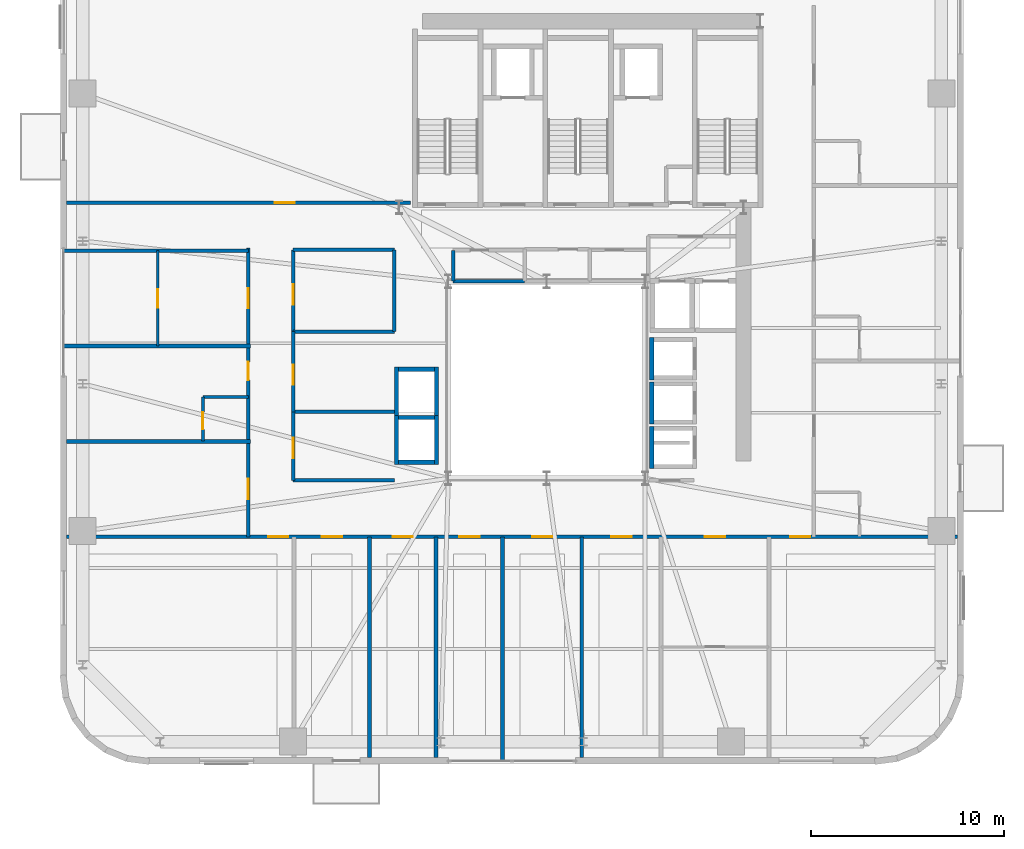
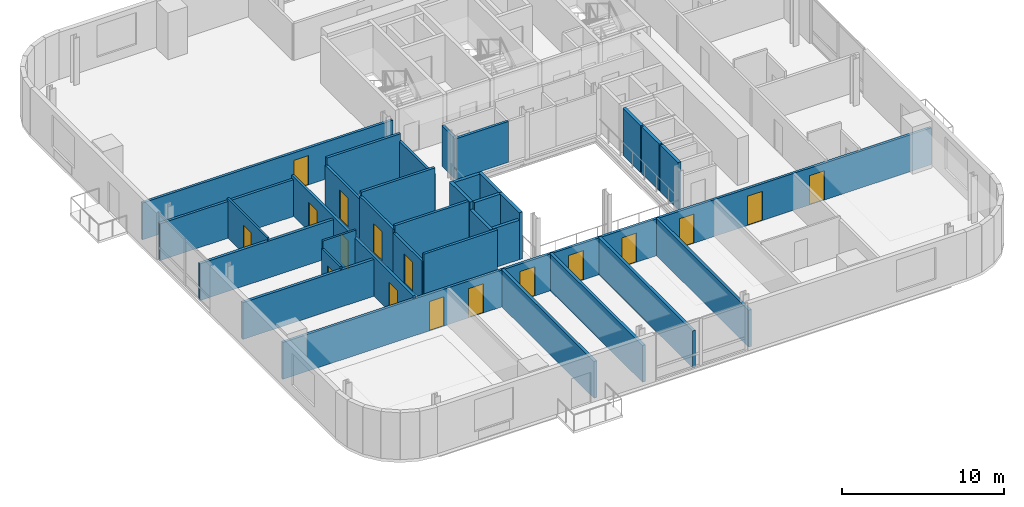
# One storey, part 8 of 17: 33 walls, 17 doors, 17 openings.
"""IFC4 building model written with IfcOpenShell, lengths in metres."""

from ifc_helpers import new_model, si_unit, direction, frame, frame_2d, origin, place, context, subcontext, project, spatial, rectangle, extrude, source, transform, mapped, material, layer, layer_set, type_object, element, fill, save


model = new_model("IFC4")

# Units and contexts
model_context = context("Model", 3, precision=1e-05, world=origin(), true_north=direction((0.0, 1.0)))
body_context = subcontext(model_context, "Body", "Model", "MODEL_VIEW")
ifc_project = project(units=[si_unit("LENGTHUNIT", "METRE"), si_unit("AREAUNIT", "SQUARE_METRE"), si_unit("VOLUMEUNIT", "CUBIC_METRE"), si_unit("PLANEANGLEUNIT", "RADIAN"), si_unit("MASSUNIT", "GRAM", prefix="KILO")], contexts=[model_context])

# Site, building, storey
site_placement = place(None, origin())
site = spatial("IfcSite", under=ifc_project, at=site_placement, CompositionType="ELEMENT")
building_placement = place(site_placement, origin())
building = spatial("IfcBuilding", under=site, at=building_placement, Name="Vardaveli Station Tower", CompositionType="ELEMENT")
storey_placement = place(building_placement, frame((0.0, 0.0, 218.550048828125)))
storey = spatial("IfcBuildingStorey", under=building, at=storey_placement, Name="L56", CompositionType="ELEMENT", Elevation=218.550048828125)

# Walls
ifc_material_1 = material(Name="Concrete C40/50", Category="concrete")
ifc_layer_1 = layer(ifc_material_1, 0.219970703125, Name="Concrete C40/50")
ifc_layer_set_1 = layer_set([ifc_layer_1], Name="Concrete C40/50")
wall_type_1 = type_object("IfcWallType", Name="WAL-FFLOBBY-220", PredefinedType="SOLIDWALL", material=ifc_layer_set_1)
shared_shape_1 = source(origin(), body_context, "Body", "SweptSolid", [
    extrude(rectangle(XDim=2.18994140625, YDim=0.219970703125, at=frame_2d((1.094970703125, 0.0))), origin(), (0.0, 0.0, 1.0), 3.530029296875),
])
for number, where, z_axis, x_axis, name in (
    (1, (41.739990234375, 21.705078125, 0.0), (0.0, 0.0, 1.0), (0.0, 1.0, 0.0), "SHW-HL3-01-L56-W"),
    (2, (41.739990234375, 19.405029296875, 0.0), (0.0, 0.0, 1.0), (0.0, 1.0, 0.0), "SHW-HL3-02-L56-W"),
    (3, (41.739990234375, 17.10498046875, 0.0), (0.0, 0.0, 1.0), (0.0, 1.0, 0.0), "SHW-HL3-03-L56-W"),
):
    element("IfcWall", number, at=place(storey_placement, frame(where, z_axis=z_axis, x_axis=x_axis)), inside=storey, type_object=wall_type_1, Name=name, PredefinedType="SOLIDWALL", context=body_context, shape_type="MappedRepresentation", body=[
        mapped(shared_shape_1, transform((0.0, 0.0, 0.0), scale=1.0)),
    ])
shared_shape_2 = source(origin(), body_context, "Body", "SweptSolid", [
    extrude(rectangle(XDim=1.85009765625, YDim=0.219970703125, at=frame_2d((0.925048828125, 0.0))), origin(), (0.0, 0.0, 1.0), 2.971923828125),
])
wall_1_placement = place(storey_placement, frame((28.625, 17.43994140625, 0.0), z_axis=(0.0, 0.0, 1.0), x_axis=(1.0, 0.0, 0.0)))
element("IfcWall", 4, at=wall_1_placement, inside=storey, type_object=wall_type_1, Name="SHW-OBS-01-L56-S", PredefinedType="SOLIDWALL", context=body_context, shape_type="MappedRepresentation", body=[
    mapped(shared_shape_2, transform((0.0, 0.0, 0.0), scale=1.0)),
])
shared_shape_3 = source(origin(), body_context, "Body", "SweptSolid", [
    extrude(rectangle(XDim=1.85009765625, YDim=0.219970703125, at=frame_2d((0.925048828125, 0.0))), origin(), (0.0, 0.0, 1.0), 3.530029296875),
])
for number, where, z_axis, x_axis, name in (
    (5, (28.625, 19.760009765625, 0.0), (0.0, 0.0, 1.0), (1.0, 0.0, 0.0), "SHW-OBS-01-L56-N"),
    (6, (28.625, 22.260009765625, 0.0), (0.0, 0.0, 1.0), (1.0, 0.0, 0.0), "SHW-OBS-02-L56-N"),
):
    element("IfcWall", number, at=place(storey_placement, frame(where, z_axis=z_axis, x_axis=x_axis)), inside=storey, type_object=wall_type_1, Name=name, PredefinedType="SOLIDWALL", context=body_context, shape_type="MappedRepresentation", body=[
        mapped(shared_shape_3, transform((0.0, 0.0, 0.0), scale=1.0)),
    ])
shared_shape_4 = source(origin(), body_context, "Body", "SweptSolid", [
    extrude(rectangle(XDim=2.5400390625, YDim=0.219970703125, at=frame_2d((1.27001953125, 0.0))), origin(), (0.0, 0.0, 1.0), 2.971923828125),
])
wall_2_placement = place(storey_placement, frame((28.514892578125, 17.330078125, 0.0), z_axis=(0.0, 0.0, 1.0), x_axis=(0.0, 1.0, 0.0)))
element("IfcWall", 7, at=wall_2_placement, inside=storey, type_object=wall_type_1, Name="SHW-OBS-01-L56-W", PredefinedType="SOLIDWALL", context=body_context, shape_type="MappedRepresentation", body=[
    mapped(shared_shape_4, transform((0.0, 0.0, 0.0), scale=1.0)),
])
shared_shape_5 = source(origin(), body_context, "Body", "SweptSolid", [
    extrude(rectangle(XDim=2.5400390625, YDim=0.219970703125, at=frame_2d((1.27001953125, 0.0))), origin(), (0.0, 0.0, 1.0), 3.530029296875),
])
for number, where, z_axis, x_axis, name in (
    (8, (30.5849609375, 17.330078125, 0.0), (0.0, 0.0, 1.0), (0.0, 1.0, 0.0), "SHW-OBS-01-L56-E"),
    (9, (28.514892578125, 19.830078125, 0.0), (0.0, 0.0, 1.0), (0.0, 1.0, 0.0), "SHW-OBS-02-L56-W"),
    (10, (30.5849609375, 19.830078125, 0.0), (0.0, 0.0, 1.0), (0.0, 1.0, 0.0), "SHW-OBS-02-L56-E"),
):
    element("IfcWall", number, at=place(storey_placement, frame(where, z_axis=z_axis, x_axis=x_axis)), inside=storey, type_object=wall_type_1, Name=name, PredefinedType="SOLIDWALL", context=body_context, shape_type="MappedRepresentation", body=[
        mapped(shared_shape_5, transform((0.0, 0.0, 0.0), scale=1.0)),
    ])

# Wall, openings, doors
ifc_material_2 = material(Name="Fire-rated gypsum stud partition")
ifc_layer_2 = layer(ifc_material_2, 0.179931640625, Name="Fire-rated gypsum stud partition")
ifc_layer_set_2 = layer_set([ifc_layer_2], Name="Fire-rated gypsum stud partition")
wall_type_2 = type_object("IfcWallType", Name="WAL-CORR-180", PredefinedType="PARTITIONING", material=ifc_layer_set_2)
shared_shape_6 = source(origin(), body_context, "Body", "SweptSolid", [
    extrude(rectangle(XDim=46.15576171875, YDim=0.179931640625, at=frame_2d((23.077880859375, 0.0))), origin(), (0.0, 0.0, 1.0), 2.77197265625),
])
wall_3_placement = place(storey_placement, frame((11.422119140625, 13.570068359375, 0.0), z_axis=(0.0, 0.0, 1.0), x_axis=(1.0, 0.0, 0.0)))
wall_3 = element("IfcWall", 11, at=wall_3_placement, inside=storey, type_object=wall_type_2, Name="W-L56-CS", PredefinedType="PARTITIONING", context=body_context, shape_type="MappedRepresentation", body=[
    mapped(shared_shape_6, transform((0.0, 0.0, 0.0), scale=1.0)),
])
shared_shape_7 = source(origin(), body_context, "Body", "SweptSolid", [
    extrude(rectangle(XDim=1.050048828125, YDim=2.199951171875, at=frame_2d((0.52490234375, 1.10009765625))), frame((0.0, 0.10009765625, 0.0), z_axis=(0.0, -1.0, 0.0), x_axis=(1.0, 0.0, 0.0)), (0.0, 0.0, 1.0), 0.199951171875),
])
opening_1_placement = place(wall_3_placement, frame((10.43798828125, 0.0, 0.0)))
opening_1 = element("IfcOpeningElement", 12, at=opening_1_placement, cuts=wall_3, Name="Opening D-05", PredefinedType="OPENING", context=body_context, shape_type="MappedRepresentation", body=[
    mapped(shared_shape_7, transform((0.0, 0.0, 0.0), scale=1.0)),
])
opening_2_placement = place(wall_3_placement, frame((13.21826171875, 0.0, 0.0)))
opening_2 = element("IfcOpeningElement", 13, at=opening_2_placement, cuts=wall_3, Name="Opening D-05", PredefinedType="OPENING", context=body_context, shape_type="MappedRepresentation", body=[
    mapped(shared_shape_7, transform((0.0, 0.0, 0.0), scale=1.0)),
])
opening_3_placement = place(wall_3_placement, frame((16.893310546875, 0.0, 0.0)))
opening_3 = element("IfcOpeningElement", 14, at=opening_3_placement, cuts=wall_3, Name="Opening D-05", PredefinedType="OPENING", context=body_context, shape_type="MappedRepresentation", body=[
    mapped(shared_shape_7, transform((0.0, 0.0, 0.0), scale=1.0)),
])
opening_4_placement = place(wall_3_placement, frame((20.345703125, 0.0, 0.0)))
opening_4 = element("IfcOpeningElement", 15, at=opening_4_placement, cuts=wall_3, Name="Opening D-05", PredefinedType="OPENING", context=body_context, shape_type="MappedRepresentation", body=[
    mapped(shared_shape_7, transform((0.0, 0.0, 0.0), scale=1.0)),
])
opening_5_placement = place(wall_3_placement, frame((24.123779296875, 0.0, 0.0)))
opening_5 = element("IfcOpeningElement", 16, at=opening_5_placement, cuts=wall_3, Name="Opening D-05", PredefinedType="OPENING", context=body_context, shape_type="MappedRepresentation", body=[
    mapped(shared_shape_7, transform((0.0, 0.0, 0.0), scale=1.0)),
])
opening_6_placement = place(wall_3_placement, frame((28.2255859375, 0.0, 0.0)))
opening_6 = element("IfcOpeningElement", 17, at=opening_6_placement, cuts=wall_3, Name="Opening D-05", PredefinedType="OPENING", context=body_context, shape_type="MappedRepresentation", body=[
    mapped(shared_shape_7, transform((0.0, 0.0, 0.0), scale=1.0)),
])
opening_7_placement = place(wall_3_placement, frame((33.0771484375, 0.0, 0.0)))
opening_7 = element("IfcOpeningElement", 18, at=opening_7_placement, cuts=wall_3, Name="Opening D-05", PredefinedType="OPENING", context=body_context, shape_type="MappedRepresentation", body=[
    mapped(shared_shape_7, transform((0.0, 0.0, 0.0), scale=1.0)),
])
opening_8_placement = place(wall_3_placement, frame((37.498046875, 0.0, 0.0)))
opening_8 = element("IfcOpeningElement", 19, at=opening_8_placement, cuts=wall_3, Name="Opening D-05", PredefinedType="OPENING", context=body_context, shape_type="MappedRepresentation", body=[
    mapped(shared_shape_7, transform((0.0, 0.0, 0.0), scale=1.0)),
])
ifc_material_3 = material(Name="Walnut veneer acoustic fire door")
door_type_1 = type_object("IfcDoorType", Name="DR-SUITE-1050x2200", OperationType="NOTDEFINED", PredefinedType="DOOR", material=ifc_material_3)
shared_shape_8 = source(origin(), body_context, "Body", "SweptSolid", [
    extrude(rectangle(XDim=1.050048828125, YDim=2.199951171875, at=frame_2d((0.52490234375, 1.10009765625))), frame((0.0, 0.02490234375, 0.0), z_axis=(0.0, -1.0, 0.0), x_axis=(1.0, 0.0, 0.0)), (0.0, 0.0, 1.0), 0.050048828125),
])
door_1_placement = place(opening_1_placement, origin())
door_1 = element("IfcDoor", 20, at=door_1_placement, inside=storey, type_object=door_type_1, Name="D-L56-SA1", OperationType="SINGLE_SWING_RIGHT", OverallHeight=2.199951171875, OverallWidth=1.050048828125, PredefinedType="DOOR", context=body_context, shape_type="MappedRepresentation", body=[
    mapped(shared_shape_8, transform((0.0, 0.0, 0.0), scale=1.0)),
])
fill(opening_1, door_1)
door_2_placement = place(opening_2_placement, origin())
door_2 = element("IfcDoor", 21, at=door_2_placement, inside=storey, type_object=door_type_1, Name="D-L56-SA2", OperationType="SINGLE_SWING_LEFT", OverallHeight=2.199951171875, OverallWidth=1.050048828125, PredefinedType="DOOR", context=body_context, shape_type="MappedRepresentation", body=[
    mapped(shared_shape_8, transform((0.0, 0.0, 0.0), scale=1.0)),
])
fill(opening_2, door_2)
door_3_placement = place(opening_3_placement, origin())
door_3 = element("IfcDoor", 22, at=door_3_placement, inside=storey, type_object=door_type_1, Name="D-L56-SA3", OperationType="SINGLE_SWING_RIGHT", OverallHeight=2.199951171875, OverallWidth=1.050048828125, PredefinedType="DOOR", context=body_context, shape_type="MappedRepresentation", body=[
    mapped(shared_shape_8, transform((0.0, 0.0, 0.0), scale=1.0)),
])
fill(opening_3, door_3)
door_4_placement = place(opening_4_placement, origin())
door_4 = element("IfcDoor", 23, at=door_4_placement, inside=storey, type_object=door_type_1, Name="D-L56-SA4", OperationType="SINGLE_SWING_LEFT", OverallHeight=2.199951171875, OverallWidth=1.050048828125, PredefinedType="DOOR", context=body_context, shape_type="MappedRepresentation", body=[
    mapped(shared_shape_8, transform((0.0, 0.0, 0.0), scale=1.0)),
])
fill(opening_4, door_4)
door_5_placement = place(opening_5_placement, origin())
door_5 = element("IfcDoor", 24, at=door_5_placement, inside=storey, type_object=door_type_1, Name="D-L56-SA5", OperationType="SINGLE_SWING_RIGHT", OverallHeight=2.199951171875, OverallWidth=1.050048828125, PredefinedType="DOOR", context=body_context, shape_type="MappedRepresentation", body=[
    mapped(shared_shape_8, transform((0.0, 0.0, 0.0), scale=1.0)),
])
fill(opening_5, door_5)
door_6_placement = place(opening_6_placement, origin())
door_6 = element("IfcDoor", 25, at=door_6_placement, inside=storey, type_object=door_type_1, Name="D-L56-SA6", OperationType="SINGLE_SWING_LEFT", OverallHeight=2.199951171875, OverallWidth=1.050048828125, PredefinedType="DOOR", context=body_context, shape_type="MappedRepresentation", body=[
    mapped(shared_shape_8, transform((0.0, 0.0, 0.0), scale=1.0)),
])
fill(opening_6, door_6)
door_7_placement = place(opening_7_placement, origin())
door_7 = element("IfcDoor", 26, at=door_7_placement, inside=storey, type_object=door_type_1, Name="D-L56-SCB7", OperationType="SINGLE_SWING_RIGHT", OverallHeight=2.199951171875, OverallWidth=1.050048828125, PredefinedType="DOOR", context=body_context, shape_type="MappedRepresentation", body=[
    mapped(shared_shape_8, transform((0.0, 0.0, 0.0), scale=1.0)),
])
fill(opening_7, door_7)
door_8_placement = place(opening_8_placement, origin())
door_8 = element("IfcDoor", 27, at=door_8_placement, inside=storey, type_object=door_type_1, Name="D-L56-SA8", OperationType="SINGLE_SWING_LEFT", OverallHeight=2.199951171875, OverallWidth=1.050048828125, PredefinedType="DOOR", context=body_context, shape_type="MappedRepresentation", body=[
    mapped(shared_shape_8, transform((0.0, 0.0, 0.0), scale=1.0)),
])
fill(opening_8, door_8)

# Wall, opening, door
shared_shape_9 = source(origin(), body_context, "Body", "SweptSolid", [
    extrude(rectangle(XDim=17.827880859375, YDim=0.179931640625, at=frame_2d((8.9140625, 0.0))), origin(), (0.0, 0.0, 1.0), 2.77197265625),
])
wall_4_placement = place(storey_placement, frame((11.422119140625, 30.8798828125, 0.0), z_axis=(0.0, 0.0, 1.0), x_axis=(1.0, 0.0, 0.0)))
wall_4 = element("IfcWall", 28, at=wall_4_placement, inside=storey, type_object=wall_type_2, Name="W-L56-CNWS", PredefinedType="PARTITIONING", context=body_context, shape_type="MappedRepresentation", body=[
    mapped(shared_shape_9, transform((0.0, 0.0, 0.0), scale=1.0)),
])
opening_9_placement = place(wall_4_placement, frame((10.778076171875, 0.0, 0.0)))
opening_9 = element("IfcOpeningElement", 29, at=opening_9_placement, cuts=wall_4, Name="Opening D-05", PredefinedType="OPENING", context=body_context, shape_type="MappedRepresentation", body=[
    mapped(shared_shape_7, transform((0.0, 0.0, 0.0), scale=1.0)),
])
door_9_placement = place(opening_9_placement, origin())
door_9 = element("IfcDoor", 30, at=door_9_placement, inside=storey, type_object=door_type_1, Name="D-L56-GNW1", OperationType="SINGLE_SWING_RIGHT", OverallHeight=2.199951171875, OverallWidth=1.050048828125, PredefinedType="DOOR", context=body_context, shape_type="MappedRepresentation", body=[
    mapped(shared_shape_8, transform((0.0, 0.0, 0.0), scale=1.0)),
])
fill(opening_9, door_9)

shared_shape_10 = source(origin(), body_context, "Body", "SweptSolid", [
    extrude(rectangle(XDim=4.239990234375, YDim=0.179931640625, at=frame_2d((2.1201171875, 0.0))), origin(), (0.0, 0.0, 1.0), 2.971923828125),
])
wall_5_placement = place(storey_placement, frame((23.159912109375, 24.199951171875, 0.0), z_axis=(0.0, 0.0, 1.0), x_axis=(0.0, 1.0, 0.0)))
wall_5 = element("IfcWall", 31, at=wall_5_placement, inside=storey, type_object=wall_type_2, Name="W-L56-ATWC-W", PredefinedType="PARTITIONING", context=body_context, shape_type="MappedRepresentation", body=[
    mapped(shared_shape_10, transform((0.0, 0.0, 0.0), scale=1.0)),
])
opening_10_placement = place(wall_5_placement, frame((1.39990234375, 0.0, 0.0)))
opening_10 = element("IfcOpeningElement", 32, at=opening_10_placement, cuts=wall_5, Name="Opening D-05", PredefinedType="OPENING", context=body_context, shape_type="MappedRepresentation", body=[
    mapped(shared_shape_7, transform((0.0, 0.0, 0.0), scale=1.0)),
])
door_10_placement = place(opening_10_placement, origin())
door_10 = element("IfcDoor", 33, at=door_10_placement, inside=storey, type_object=door_type_1, Name="D-L56-ATW3", OperationType="SINGLE_SWING_LEFT", OverallHeight=2.199951171875, OverallWidth=1.050048828125, PredefinedType="DOOR", context=body_context, shape_type="MappedRepresentation", body=[
    mapped(shared_shape_8, transform((0.0, 0.0, 0.0), scale=1.0)),
])
fill(opening_10, door_10)

# Wall
wall_6_placement = place(storey_placement, frame((28.39990234375, 24.199951171875, 0.0), z_axis=(0.0, 0.0, 1.0), x_axis=(0.0, 1.0, 0.0)))
element("IfcWall", 34, at=wall_6_placement, inside=storey, type_object=wall_type_2, Name="W-L56-ATWC-E", PredefinedType="PARTITIONING", context=body_context, shape_type="MappedRepresentation", body=[
    mapped(shared_shape_10, transform((0.0, 0.0, 0.0), scale=1.0)),
])

# Wall, opening, door
shared_shape_11 = source(origin(), body_context, "Body", "SweptSolid", [
    extrude(rectangle(XDim=3.550048828125, YDim=0.179931640625, at=frame_2d((1.77490234375, 0.0))), origin(), (0.0, 0.0, 1.0), 2.971923828125),
])
wall_7_placement = place(storey_placement, frame((23.159912109375, 16.5, 0.0), z_axis=(0.0, 0.0, 1.0), x_axis=(0.0, 1.0, 0.0)))
wall_7 = element("IfcWall", 35, at=wall_7_placement, inside=storey, type_object=wall_type_2, Name="W-L56-ATWA-W", PredefinedType="PARTITIONING", context=body_context, shape_type="MappedRepresentation", body=[
    mapped(shared_shape_11, transform((0.0, 0.0, 0.0), scale=1.0)),
])
opening_11_placement = place(wall_7_placement, frame((1.14990234375, 0.0, 0.0)))
opening_11 = element("IfcOpeningElement", 36, at=opening_11_placement, cuts=wall_7, Name="Opening D-05", PredefinedType="OPENING", context=body_context, shape_type="MappedRepresentation", body=[
    mapped(shared_shape_7, transform((0.0, 0.0, 0.0), scale=1.0)),
])
door_11_placement = place(opening_11_placement, origin())
door_11 = element("IfcDoor", 37, at=door_11_placement, inside=storey, type_object=door_type_1, Name="D-L56-ATW1", OperationType="SINGLE_SWING_RIGHT", OverallHeight=2.199951171875, OverallWidth=1.050048828125, PredefinedType="DOOR", context=body_context, shape_type="MappedRepresentation", body=[
    mapped(shared_shape_8, transform((0.0, 0.0, 0.0), scale=1.0)),
])
fill(opening_11, door_11)

ifc_material_4 = material(Name="Moisture-resistant stud partition")
ifc_layer_3 = layer(ifc_material_4, 0.14990234375, Name="Moisture-resistant stud partition")
ifc_layer_set_3 = layer_set([ifc_layer_3], Name="Moisture-resistant stud partition")
wall_type_3 = type_object("IfcWallType", Name="WAL-WET-150", PredefinedType="PARTITIONING", material=ifc_layer_set_3)
shared_shape_12 = source(origin(), body_context, "Body", "SweptSolid", [
    extrude(rectangle(XDim=2.2900390625, YDim=0.14990234375, at=frame_2d((1.14501953125, 0.0))), origin(), (0.0, 0.0, 1.0), 2.971923828125),
])
wall_8_placement = place(storey_placement, frame((18.47998046875, 18.532958984375, 0.0), z_axis=(0.0, 0.0, 1.0), x_axis=(0.0, 1.0, 0.0)))
wall_8 = element("IfcWall", 38, at=wall_8_placement, inside=storey, type_object=wall_type_3, Name="W-L56-BW2-W", PredefinedType="PARTITIONING", context=body_context, shape_type="MappedRepresentation", body=[
    mapped(shared_shape_12, transform((0.0, 0.0, 0.0), scale=1.0)),
])
shared_shape_13 = source(origin(), body_context, "Body", "SweptSolid", [
    extrude(rectangle(XDim=0.89990234375, YDim=2.10009765625, at=frame_2d((0.449951171875, 1.050048828125))), frame((0.0, 0.0849609375, 0.0), z_axis=(0.0, -1.0, 0.0), x_axis=(1.0, 0.0, 0.0)), (0.0, 0.0, 1.0), 0.169921875),
])
opening_12_placement = place(wall_8_placement, frame((0.60009765625, 0.0, 0.0)))
opening_12 = element("IfcOpeningElement", 39, at=opening_12_placement, cuts=wall_8, Name="Opening D-08", PredefinedType="OPENING", context=body_context, shape_type="MappedRepresentation", body=[
    mapped(shared_shape_13, transform((0.0, 0.0, 0.0), scale=1.0)),
])
ifc_material_5 = material(Name="Moisture-resistant oak door")
door_type_2 = type_object("IfcDoorType", Name="DR-BATH-900x2100", OperationType="NOTDEFINED", PredefinedType="DOOR", material=ifc_material_5)
shared_shape_14 = source(origin(), body_context, "Body", "SweptSolid", [
    extrude(rectangle(XDim=0.89990234375, YDim=2.10009765625, at=frame_2d((0.449951171875, 1.050048828125))), frame((0.0, 0.02490234375, 0.0), z_axis=(0.0, -1.0, 0.0), x_axis=(1.0, 0.0, 0.0)), (0.0, 0.0, 1.0), 0.050048828125),
])
door_12_placement = place(opening_12_placement, origin())
door_12 = element("IfcDoor", 40, at=door_12_placement, inside=storey, type_object=door_type_2, Name="D-L56-BW2", OperationType="SINGLE_SWING_LEFT", OverallHeight=2.10009765625, OverallWidth=0.89990234375, PredefinedType="DOOR", context=body_context, shape_type="MappedRepresentation", body=[
    mapped(shared_shape_14, transform((0.0, 0.0, 0.0), scale=1.0)),
])
fill(opening_12, door_12)

# Walls
shared_shape_15 = source(origin(), body_context, "Body", "SweptSolid", [
    extrude(rectangle(XDim=3.699951171875, YDim=0.179931640625, at=frame_2d((1.85009765625, 0.0))), origin(), (0.0, 0.0, 1.0), 3.072021484375),
])
wall_9_placement = place(storey_placement, frame((31.449951171875, 26.820068359375, 0.0), z_axis=(0.0, 0.0, 1.0), x_axis=(1.0, 0.0, 0.0)))
element("IfcWall", 41, at=wall_9_placement, inside=storey, type_object=wall_type_2, Name="W-L56-CS2A-S", PredefinedType="PARTITIONING", context=body_context, shape_type="MappedRepresentation", body=[
    mapped(shared_shape_15, transform((0.0, 0.0, 0.0), scale=1.0)),
])
shared_shape_16 = source(origin(), body_context, "Body", "SweptSolid", [
    extrude(rectangle(XDim=2.360107421875, YDim=0.14990234375, at=frame_2d((1.18017578125, 0.0))), origin(), (0.0, 0.0, 1.0), 3.530029296875),
])
wall_10_placement = place(storey_placement, frame((18.47998046875, 20.822998046875, 0.0), z_axis=(0.0, 0.0, 1.0), x_axis=(1.0, 0.0, 0.0)))
element("IfcWall", 42, at=wall_10_placement, inside=storey, type_object=wall_type_3, Name="W-L56-BW2-N", PredefinedType="PARTITIONING", context=body_context, shape_type="MappedRepresentation", body=[
    mapped(shared_shape_16, transform((0.0, 0.0, 0.0), scale=1.0)),
])
shared_shape_17 = source(origin(), body_context, "Body", "SweptSolid", [
    extrude(rectangle(XDim=1.599853515625, YDim=0.179931640625, at=frame_2d((0.7998046875, 0.0))), origin(), (0.0, 0.0, 1.0), 3.072021484375),
])
wall_11_placement = place(storey_placement, frame((31.449951171875, 26.820068359375, 0.0), z_axis=(0.0, 0.0, 1.0), x_axis=(0.0, 1.0, 0.0)))
element("IfcWall", 43, at=wall_11_placement, inside=storey, type_object=wall_type_2, Name="W-L56-CS2A-W", PredefinedType="PARTITIONING", context=body_context, shape_type="MappedRepresentation", body=[
    mapped(shared_shape_17, transform((0.0, 0.0, 0.0), scale=1.0)),
])

# Wall, openings, doors
shared_shape_18 = source(origin(), body_context, "Body", "SweptSolid", [
    extrude(rectangle(XDim=14.97998046875, YDim=0.179931640625, at=frame_2d((7.489990234375, 0.0))), origin(), (0.0, 0.0, 1.0), 2.971923828125),
])
wall_12_placement = place(storey_placement, frame((20.840087890625, 13.570068359375, 0.0), z_axis=(0.0, 0.0, 1.0), x_axis=(0.0, 1.0, 0.0)))
wall_12 = element("IfcWall", 44, at=wall_12_placement, inside=storey, type_object=wall_type_2, Name="W-L56-CW", PredefinedType="PARTITIONING", context=body_context, shape_type="MappedRepresentation", body=[
    mapped(shared_shape_18, transform((0.0, 0.0, 0.0), scale=1.0)),
])
opening_13_placement = place(wall_12_placement, frame((1.95166015625, 0.0, 0.0)))
opening_13 = element("IfcOpeningElement", 45, at=opening_13_placement, cuts=wall_12, Name="Opening D-05", PredefinedType="OPENING", context=body_context, shape_type="MappedRepresentation", body=[
    mapped(shared_shape_7, transform((0.0, 0.0, 0.0), scale=1.0)),
])
shared_shape_19 = source(origin(), body_context, "Body", "SweptSolid", [
    extrude(rectangle(XDim=0.949951171875, YDim=2.14990234375, at=frame_2d((0.47509765625, 1.074951171875))), frame((0.0, 0.10009765625, 0.0), z_axis=(0.0, -1.0, 0.0), x_axis=(1.0, 0.0, 0.0)), (0.0, 0.0, 1.0), 0.199951171875),
])
opening_14_placement = place(wall_12_placement, frame((8.1201171875, 0.0, 0.0)))
opening_14 = element("IfcOpeningElement", 46, at=opening_14_placement, cuts=wall_12, Name="Opening D-06", PredefinedType="OPENING", context=body_context, shape_type="MappedRepresentation", body=[
    mapped(shared_shape_19, transform((0.0, 0.0, 0.0), scale=1.0)),
])
opening_15_placement = place(wall_12_placement, frame((11.83837890625, 0.0, 0.0)))
opening_15 = element("IfcOpeningElement", 47, at=opening_15_placement, cuts=wall_12, Name="Opening D-05", PredefinedType="OPENING", context=body_context, shape_type="MappedRepresentation", body=[
    mapped(shared_shape_7, transform((0.0, 0.0, 0.0), scale=1.0)),
])
door_13_placement = place(opening_13_placement, origin())
door_13 = element("IfcDoor", 48, at=door_13_placement, inside=storey, type_object=door_type_1, Name="D-L56-GW1", OperationType="SINGLE_SWING_LEFT", OverallHeight=2.199951171875, OverallWidth=1.050048828125, PredefinedType="DOOR", context=body_context, shape_type="MappedRepresentation", body=[
    mapped(shared_shape_8, transform((0.0, 0.0, 0.0), scale=1.0)),
])
fill(opening_13, door_13)
door_14_placement = place(opening_15_placement, origin())
door_14 = element("IfcDoor", 49, at=door_14_placement, inside=storey, type_object=door_type_1, Name="D-L56-GW3", OperationType="SINGLE_SWING_LEFT", OverallHeight=2.199951171875, OverallWidth=1.050048828125, PredefinedType="DOOR", context=body_context, shape_type="MappedRepresentation", body=[
    mapped(shared_shape_8, transform((0.0, 0.0, 0.0), scale=1.0)),
])
fill(opening_15, door_14)
ifc_material_6 = material(Name="Oak veneer acoustic fire door")
door_type_3 = type_object("IfcDoorType", Name="DR-GUEST-950x2150", OperationType="NOTDEFINED", PredefinedType="DOOR", material=ifc_material_6)
shared_shape_20 = source(origin(), body_context, "Body", "SweptSolid", [
    extrude(rectangle(XDim=0.949951171875, YDim=2.14990234375, at=frame_2d((0.47509765625, 1.074951171875))), frame((0.0, 0.02490234375, 0.0), z_axis=(0.0, -1.0, 0.0), x_axis=(1.0, 0.0, 0.0)), (0.0, 0.0, 1.0), 0.050048828125),
])
door_15_placement = place(opening_14_placement, origin())
door_15 = element("IfcDoor", 50, at=door_15_placement, inside=storey, type_object=door_type_3, Name="D-L56-GW2", OperationType="SINGLE_SWING_RIGHT", OverallHeight=2.14990234375, OverallWidth=0.949951171875, PredefinedType="DOOR", context=body_context, shape_type="MappedRepresentation", body=[
    mapped(shared_shape_20, transform((0.0, 0.0, 0.0), scale=1.0)),
])
fill(opening_14, door_15)

# Walls
ifc_material_7 = material(Name="Acoustic twin-stud gypsum partition")
ifc_layer_4 = layer(ifc_material_7, 0.199951171875, Name="Acoustic twin-stud gypsum partition")
ifc_layer_set_4 = layer_set([ifc_layer_4], Name="Acoustic twin-stud gypsum partition")
wall_type_4 = type_object("IfcWallType", Name="WAL-PARTY-200", PredefinedType="PARTITIONING", material=ifc_layer_set_4)
shared_shape_21 = source(origin(), body_context, "Body", "SweptSolid", [
    extrude(rectangle(XDim=11.447998046875, YDim=0.199951171875, at=frame_2d((5.72412109375, 0.0))), origin(), (0.0, 0.0, 1.0), 2.77197265625),
])
for number, where, z_axis, x_axis, name in (
    (51, (27.110107421875, 2.1220703125, 0.0), (0.0, 0.0, 1.0), (0.0, 1.0, 0.0), "W-L56-PS2"),
    (52, (30.56005859375, 2.1220703125, 0.0), (0.0, 0.0, 1.0), (0.0, 1.0, 0.0), "W-L56-PS3"),
    (53, (38.116943359375, 2.1220703125, 0.0), (0.0, 0.0, 1.0), (0.0, 1.0, 0.0), "W-L56-PS5"),
):
    element("IfcWall", number, at=place(storey_placement, frame(where, z_axis=z_axis, x_axis=x_axis)), inside=storey, type_object=wall_type_4, Name=name, PredefinedType="PARTITIONING", context=body_context, shape_type="MappedRepresentation", body=[
        mapped(shared_shape_21, transform((0.0, 0.0, 0.0), scale=1.0)),
    ])
shared_shape_22 = source(origin(), body_context, "Body", "SweptSolid", [
    extrude(rectangle(XDim=11.64013671875, YDim=0.199951171875, at=frame_2d((5.820068359375, 0.0))), origin(), (0.0, 0.0, 1.0), 2.77197265625),
])
wall_13_placement = place(storey_placement, frame((34.014892578125, 1.929931640625, 0.0), z_axis=(0.0, 0.0, 1.0), x_axis=(0.0, 1.0, 0.0)))
element("IfcWall", 54, at=wall_13_placement, inside=storey, type_object=wall_type_4, Name="W-L56-PS4", PredefinedType="PARTITIONING", context=body_context, shape_type="MappedRepresentation", body=[
    mapped(shared_shape_22, transform((0.0, 0.0, 0.0), scale=1.0)),
])

# Wall, opening, door
ifc_material_8 = material(Name="Gypsum board stud partition")
ifc_layer_5 = layer(ifc_material_8, 0.125, Name="Gypsum board stud partition")
ifc_layer_set_5 = layer_set([ifc_layer_5], Name="Gypsum board stud partition")
wall_type_5 = type_object("IfcWallType", Name="WAL-INT-125", PredefinedType="PARTITIONING", material=ifc_layer_set_5)
shared_shape_23 = source(origin(), body_context, "Body", "SweptSolid", [
    extrude(rectangle(XDim=4.94287109375, YDim=0.125, at=frame_2d((2.471435546875, 0.0))), origin(), (0.0, 0.0, 1.0), 2.971923828125),
])
wall_14_placement = place(storey_placement, frame((16.14501953125, 23.45703125, 0.0), z_axis=(0.0, 0.0, 1.0), x_axis=(0.0, 1.0, 0.0)))
wall_14 = element("IfcWall", 55, at=wall_14_placement, inside=storey, type_object=wall_type_5, Name="W-L56-WCM3", PredefinedType="PARTITIONING", context=body_context, shape_type="MappedRepresentation", body=[
    mapped(shared_shape_23, transform((0.0, 0.0, 0.0), scale=1.0)),
])
shared_shape_24 = source(origin(), body_context, "Body", "SweptSolid", [
    extrude(rectangle(XDim=0.949951171875, YDim=2.14990234375, at=frame_2d((0.47509765625, 1.074951171875))), frame((0.0, 0.072509765625, 0.0), z_axis=(0.0, -1.0, 0.0), x_axis=(1.0, 0.0, 0.0)), (0.0, 0.0, 1.0), 0.14501953125),
])
opening_16_placement = place(wall_14_placement, frame((1.99169921875, 0.0, 0.0)))
opening_16 = element("IfcOpeningElement", 56, at=opening_16_placement, cuts=wall_14, Name="Opening D-11", PredefinedType="OPENING", context=body_context, shape_type="MappedRepresentation", body=[
    mapped(shared_shape_24, transform((0.0, 0.0, 0.0), scale=1.0)),
])
ifc_material_9 = material(Name="Oak veneer internal suite door")
door_type_4 = type_object("IfcDoorType", Name="DR-INT-950x2150", OperationType="NOTDEFINED", PredefinedType="DOOR", material=ifc_material_9)
door_16_placement = place(opening_16_placement, origin())
door_16 = element("IfcDoor", 57, at=door_16_placement, inside=storey, type_object=door_type_4, Name="D-L56-GWF3", OperationType="SINGLE_SWING_LEFT", OverallHeight=2.14990234375, OverallWidth=0.949951171875, PredefinedType="DOOR", context=body_context, shape_type="MappedRepresentation", body=[
    mapped(shared_shape_20, transform((0.0, 0.0, 0.0), scale=1.0)),
])
fill(opening_16, door_16)

shared_shape_25 = source(origin(), body_context, "Body", "SweptSolid", [
    extrude(rectangle(XDim=4.14990234375, YDim=0.179931640625, at=frame_2d((2.074951171875, 0.0))), origin(), (0.0, 0.0, 1.0), 3.221923828125),
])
wall_15_placement = place(storey_placement, frame((23.159912109375, 20.050048828125, 0.0), z_axis=(0.0, 0.0, 1.0), x_axis=(0.0, 1.0, 0.0)))
wall_15 = element("IfcWall", 58, at=wall_15_placement, inside=storey, type_object=wall_type_2, Name="W-L56-ATWB-W", PredefinedType="PARTITIONING", context=body_context, shape_type="MappedRepresentation", body=[
    mapped(shared_shape_25, transform((0.0, 0.0, 0.0), scale=1.0)),
])
opening_17_placement = place(wall_15_placement, frame((1.39990234375, 0.0, 0.0)))
opening_17 = element("IfcOpeningElement", 59, at=opening_17_placement, cuts=wall_15, Name="Opening D-05", PredefinedType="OPENING", context=body_context, shape_type="MappedRepresentation", body=[
    mapped(shared_shape_7, transform((0.0, 0.0, 0.0), scale=1.0)),
])
door_17_placement = place(opening_17_placement, origin())
door_17 = element("IfcDoor", 60, at=door_17_placement, inside=storey, type_object=door_type_1, Name="D-L56-ATW2", OperationType="SINGLE_SWING_RIGHT", OverallHeight=2.199951171875, OverallWidth=1.050048828125, PredefinedType="DOOR", context=body_context, shape_type="MappedRepresentation", body=[
    mapped(shared_shape_8, transform((0.0, 0.0, 0.0), scale=1.0)),
])
fill(opening_17, door_17)

# Walls
shared_shape_26 = source(origin(), body_context, "Body", "SweptSolid", [
    extrude(rectangle(XDim=9.517822265625, YDim=0.199951171875, at=frame_2d((4.7587890625, 0.0))), origin(), (0.0, 0.0, 1.0), 2.77197265625),
])
wall_16_placement = place(storey_placement, frame((11.422119140625, 18.512939453125, 0.0), z_axis=(0.0, 0.0, 1.0), x_axis=(1.0, 0.0, 0.0)))
element("IfcWall", 61, at=wall_16_placement, inside=storey, type_object=wall_type_4, Name="W-L56-PW1", PredefinedType="PARTITIONING", context=body_context, shape_type="MappedRepresentation", body=[
    mapped(shared_shape_26, transform((0.0, 0.0, 0.0), scale=1.0)),
])
shared_shape_27 = source(origin(), body_context, "Body", "SweptSolid", [
    extrude(rectangle(XDim=9.7099609375, YDim=0.199951171875, at=frame_2d((4.85498046875, 0.0))), origin(), (0.0, 0.0, 1.0), 2.77197265625),
])
wall_17_placement = place(storey_placement, frame((11.22998046875, 23.45703125, 0.0), z_axis=(0.0, 0.0, 1.0), x_axis=(1.0, 0.0, 0.0)))
element("IfcWall", 62, at=wall_17_placement, inside=storey, type_object=wall_type_4, Name="W-L56-PW2", PredefinedType="PARTITIONING", context=body_context, shape_type="MappedRepresentation", body=[
    mapped(shared_shape_27, transform((0.0, 0.0, 0.0), scale=1.0)),
])
shared_shape_28 = source(origin(), body_context, "Body", "SweptSolid", [
    extrude(rectangle(XDim=9.610107421875, YDim=0.179931640625, at=frame_2d((4.80517578125, 0.0))), origin(), (0.0, 0.0, 1.0), 2.77197265625),
])
wall_18_placement = place(storey_placement, frame((11.22998046875, 28.39990234375, 0.0), z_axis=(0.0, 0.0, 1.0), x_axis=(1.0, 0.0, 0.0)))
element("IfcWall", 63, at=wall_18_placement, inside=storey, type_object=wall_type_2, Name="W-L56-CWN", PredefinedType="PARTITIONING", context=body_context, shape_type="MappedRepresentation", body=[
    mapped(shared_shape_28, transform((0.0, 0.0, 0.0), scale=1.0)),
])
shared_shape_29 = source(origin(), body_context, "Body", "SweptSolid", [
    extrude(rectangle(XDim=5.239990234375, YDim=0.179931640625, at=frame_2d((2.6201171875, 0.0))), origin(), (0.0, 0.0, 1.0), 3.530029296875),
])
for number, where, z_axis, x_axis, name in (
    (64, (23.159912109375, 16.5, 0.0), (0.0, 0.0, 1.0), (1.0, 0.0, 0.0), "W-L56-ATWA-S"),
    (65, (23.159912109375, 20.050048828125, 0.0), (0.0, 0.0, 1.0), (1.0, 0.0, 0.0), "W-L56-ATWA-N"),
    (66, (23.159912109375, 24.199951171875, 0.0), (0.0, 0.0, 1.0), (1.0, 0.0, 0.0), "W-L56-ATWB-N"),
    (67, (23.159912109375, 28.43994140625, 0.0), (0.0, 0.0, 1.0), (1.0, 0.0, 0.0), "W-L56-ATWC-N"),
):
    element("IfcWall", number, at=place(storey_placement, frame(where, z_axis=z_axis, x_axis=x_axis)), inside=storey, type_object=wall_type_2, Name=name, PredefinedType="PARTITIONING", context=body_context, shape_type="MappedRepresentation", body=[
        mapped(shared_shape_29, transform((0.0, 0.0, 0.0), scale=1.0)),
    ])

save(model, "model.ifc")
